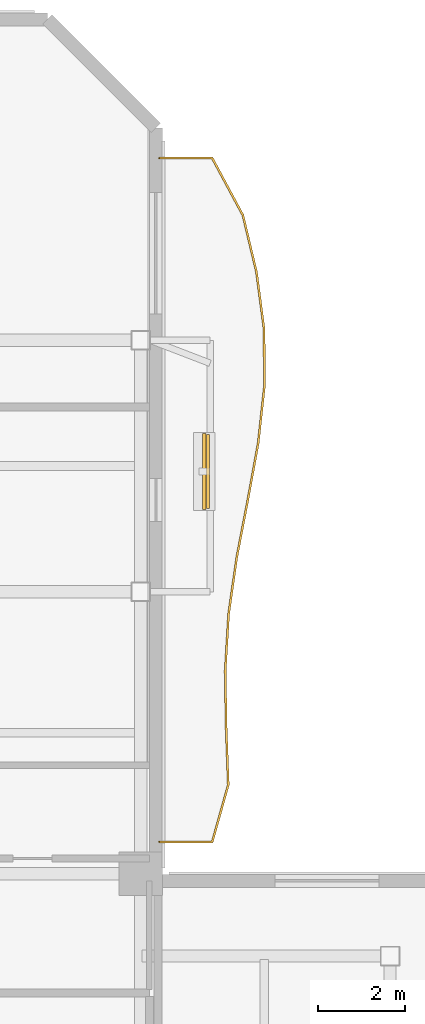
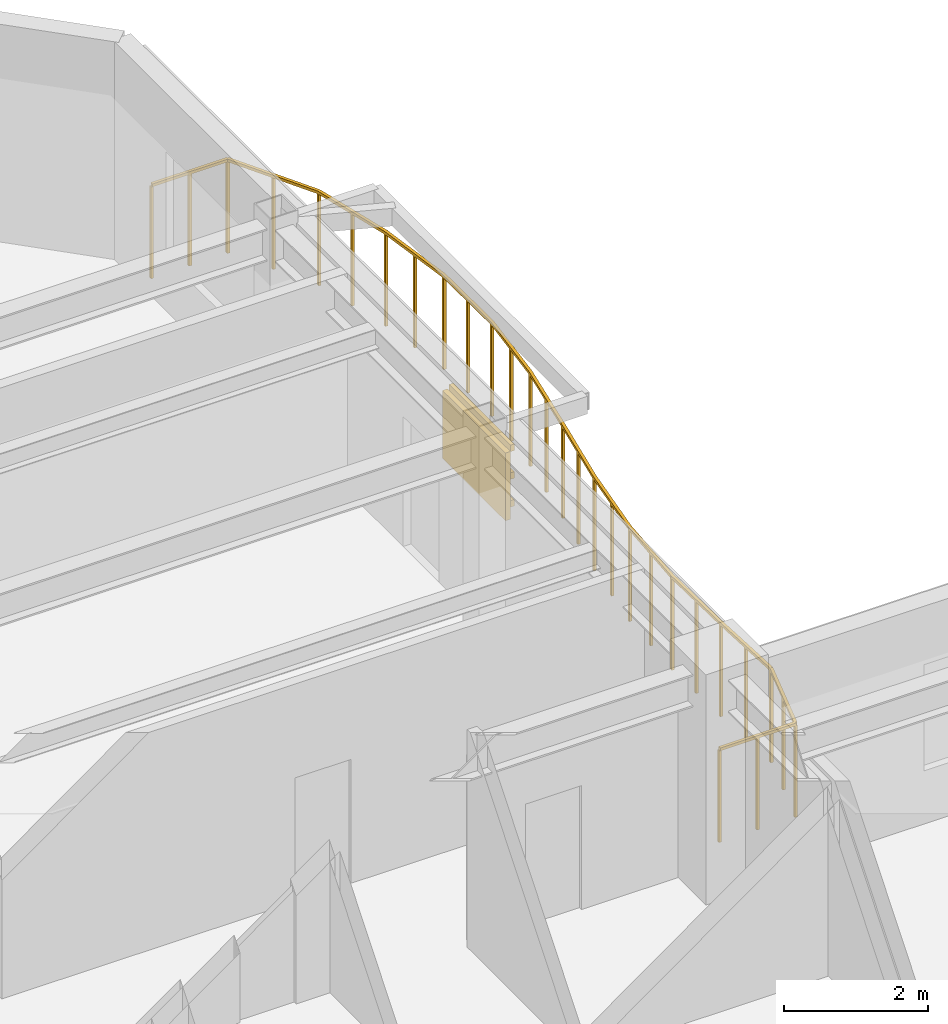
# One storey, part 13 of 13: 4 shading devices, 1 railing.
"""IFC4 building model written with IfcOpenShell, lengths in metres."""

from ifc_helpers import new_model, si_unit, direction, frame, origin, origin_2d, place, context, subcontext, project, spatial, rectangle, extrude, material, layer, layer_set, material_profile, profile_set, type_object, element, save


model = new_model("IFC4")

# Units and contexts
model_context = context("Model", 3, precision=1e-05, world=origin(), true_north=direction((0.0, 1.0)))
body_context = subcontext(model_context, "Body", "Model", "MODEL_VIEW")
ifc_project = project(units=[si_unit("LENGTHUNIT", "METRE"), si_unit("AREAUNIT", "SQUARE_METRE"), si_unit("VOLUMEUNIT", "CUBIC_METRE"), si_unit("PLANEANGLEUNIT", "RADIAN"), si_unit("MASSUNIT", "GRAM", prefix="KILO")], contexts=[model_context])

# Site, building, storey
site_placement = place(None, origin())
site = spatial("IfcSite", under=ifc_project, at=site_placement, CompositionType="ELEMENT")
building_placement = place(site_placement, origin())
building = spatial("IfcBuilding", under=site, at=building_placement, Name="Mawjaban Terraces University", CompositionType="ELEMENT")
storey_placement = place(building_placement, frame((0.0, 0.0, 199.199951171875)))
storey = spatial("IfcBuildingStorey", under=building, at=storey_placement, Name="L48", CompositionType="ELEMENT", Elevation=199.199951171875)

# Railing
ifc_material_1 = material(Name="Galvanised powder-coated steel S355", Category="steel")
railing_type = type_object("IfcRailingType", Name="BalconyBalustrade_1600", PredefinedType="BALUSTRADE", material=ifc_material_1)
railing_placement = place(storey_placement, frame((38.080078125, 24.235107421875, 0.0)))
element("IfcRailing", 1, at=railing_placement, inside=storey, type_object=railing_type, Name="L48 Balcony Guardrail inner_east", PredefinedType="BALUSTRADE", context=body_context, shape_type="SweptSolid", body=[
    extrude(rectangle(XDim=0.048095703125, YDim=0.048095703125, at=origin_2d()), frame((0.0, 0.0, 1.576171875), z_axis=(1.0, 0.0, 0.0), x_axis=(0.0, 1.0, 0.0)), (0.0, 0.0, 1.0), 1.219970703125),
    extrude(rectangle(XDim=0.048095703125, YDim=0.048095703125, at=origin_2d()), frame((1.219970703125, 0.0, 1.576171875), z_axis=(0.2709631077, 0.962589733098, 0.0), x_axis=(-0.962589733098, 0.2709631077, 0.0)), (0.0, 0.0, 1.0), 1.364990234375),
    extrude(rectangle(XDim=0.048095703125, YDim=0.048095703125, at=origin_2d()), frame((1.58984375, 1.31396484375, 1.576171875), z_axis=(-0.037135274909, 0.9993102478, 0.0), x_axis=(-0.9993102478, -0.037135274909, 0.0)), (0.0, 0.0, 1.0), 1.31494140625),
    extrude(rectangle(XDim=0.048095703125, YDim=0.048095703125, at=origin_2d()), frame((1.541015625, 2.6279296875, 1.576171875), z_axis=(-0.016732502821, 0.999860001875, 0.0), x_axis=(-0.999860001875, -0.016732502821, 0.0)), (0.0, 0.0, 1.0), 1.313232421875),
    extrude(rectangle(XDim=0.048095703125, YDim=0.048095703125, at=origin_2d()), frame((1.51904296875, 3.94091796875, 1.576171875), z_axis=(0.059907075163, 0.99820395829, 0.0), x_axis=(-0.99820395829, 0.059907075163, 0.0)), (0.0, 0.0, 1.0), 1.31640625),
    extrude(rectangle(XDim=0.048095703125, YDim=0.048095703125, at=origin_2d()), frame((1.597900390625, 5.2548828125, 1.576171875), z_axis=(0.14234821284, 0.989816642768, 0.0), x_axis=(-0.989816642768, 0.14234821284, 0.0)), (0.0, 0.0, 1.0), 1.327392578125),
    extrude(rectangle(XDim=0.048095703125, YDim=0.048095703125, at=origin_2d()), frame((1.786865234375, 6.56884765625, 1.576171875), z_axis=(0.189334943594, 0.981912561858, 0.0), x_axis=(-0.981912561858, 0.189334943594, 0.0)), (0.0, 0.0, 1.0), 1.337158203125),
    extrude(rectangle(XDim=0.048095703125, YDim=0.048095703125, at=origin_2d()), frame((2.0400390625, 7.8818359375, 1.576171875), z_axis=(0.179673531636, 0.983726294266, 0.0), x_axis=(-0.983726294266, 0.179673531636, 0.0)), (0.0, 0.0, 1.0), 1.335693359375),
    extrude(rectangle(XDim=0.048095703125, YDim=0.048095703125, at=origin_2d()), frame((2.280029296875, 9.19580078125, 1.576171875), z_axis=(0.10876936106, 0.994067012879, 0.0), x_axis=(-0.994067012879, 0.10876936106, 0.0)), (0.0, 0.0, 1.0), 1.322021484375),
    extrude(rectangle(XDim=0.048095703125, YDim=0.048095703125, at=origin_2d()), frame((2.423828125, 10.510009765625, 1.576171875), z_axis=(-0.006688813576, 0.999977629636, 0.0), x_axis=(-0.999977629636, -0.006688813576, 0.0)), (0.0, 0.0, 1.0), 1.31396484375),
    extrude(rectangle(XDim=0.048095703125, YDim=0.048095703125, at=origin_2d()), frame((2.4150390625, 11.823974609375, 1.576171875), z_axis=(-0.132055143145, 0.991242371557, 0.0), x_axis=(-0.991242371557, -0.132055143145, 0.0)), (0.0, 0.0, 1.0), 1.32568359375),
    extrude(rectangle(XDim=0.048095703125, YDim=0.048095703125, at=origin_2d()), frame((2.239990234375, 13.137939453125, 1.576171875), z_axis=(-0.23256577572, 0.972580670157, 0.0), x_axis=(-0.972580670157, -0.23256577572, 0.0)), (0.0, 0.0, 1.0), 1.35009765625),
    extrude(rectangle(XDim=0.048095703125, YDim=0.048095703125, at=origin_2d()), frame((1.926025390625, 14.450927734375, 1.576171875), z_axis=(-0.473338347507, 0.880880700651, 0.0), x_axis=(-0.880880700651, -0.473338347507, 0.0)), (0.0, 0.0, 1.0), 1.49169921875),
    extrude(rectangle(XDim=0.048095703125, YDim=0.048095703125, at=origin_2d()), frame((1.219970703125, 15.764892578125, 1.576171875), z_axis=(-1.0, 0.0, 0.0), x_axis=(0.0, -1.0, 0.0)), (0.0, 0.0, 1.0), 1.219970703125),
    extrude(rectangle(XDim=0.0419921875, YDim=0.0419921875, at=origin_2d()), origin(), (0.0, 0.0, 1.0), 1.552001953125),
    extrude(rectangle(XDim=0.0419921875, YDim=0.0419921875, at=origin_2d()), frame((0.60986328125, 0.0, 0.0)), (0.0, 0.0, 1.0), 1.552001953125),
    extrude(rectangle(XDim=0.0419921875, YDim=0.0419921875, at=origin_2d()), frame((1.219970703125, 0.0, 0.0)), (0.0, 0.0, 1.0), 1.552001953125),
    extrude(rectangle(XDim=0.0419921875, YDim=0.0419921875, at=origin_2d()), frame((1.40478515625, 0.656982421875, 0.0)), (0.0, 0.0, 1.0), 1.552001953125),
    extrude(rectangle(XDim=0.0419921875, YDim=0.0419921875, at=origin_2d()), frame((1.58984375, 1.31396484375, 0.0)), (0.0, 0.0, 1.0), 1.552001953125),
    extrude(rectangle(XDim=0.0419921875, YDim=0.0419921875, at=origin_2d()), frame((1.5654296875, 1.970947265625, 0.0)), (0.0, 0.0, 1.0), 1.552001953125),
    extrude(rectangle(XDim=0.0419921875, YDim=0.0419921875, at=origin_2d()), frame((1.541015625, 2.6279296875, 0.0)), (0.0, 0.0, 1.0), 1.552001953125),
    extrude(rectangle(XDim=0.0419921875, YDim=0.0419921875, at=origin_2d()), frame((1.530029296875, 3.284423828125, 0.0)), (0.0, 0.0, 1.0), 1.552001953125),
    extrude(rectangle(XDim=0.0419921875, YDim=0.0419921875, at=origin_2d()), frame((1.51904296875, 3.94091796875, 0.0)), (0.0, 0.0, 1.0), 1.552001953125),
    extrude(rectangle(XDim=0.0419921875, YDim=0.0419921875, at=origin_2d()), frame((1.55859375, 4.597900390625, 0.0)), (0.0, 0.0, 1.0), 1.552001953125),
    extrude(rectangle(XDim=0.0419921875, YDim=0.0419921875, at=origin_2d()), frame((1.597900390625, 5.2548828125, 0.0)), (0.0, 0.0, 1.0), 1.552001953125),
    extrude(rectangle(XDim=0.0419921875, YDim=0.0419921875, at=origin_2d()), frame((1.6923828125, 5.911865234375, 0.0)), (0.0, 0.0, 1.0), 1.552001953125),
    extrude(rectangle(XDim=0.0419921875, YDim=0.0419921875, at=origin_2d()), frame((1.786865234375, 6.56884765625, 0.0)), (0.0, 0.0, 1.0), 1.552001953125),
    extrude(rectangle(XDim=0.0419921875, YDim=0.0419921875, at=origin_2d()), frame((1.91357421875, 7.225341796875, 0.0)), (0.0, 0.0, 1.0), 1.552001953125),
    extrude(rectangle(XDim=0.0419921875, YDim=0.0419921875, at=origin_2d()), frame((2.0400390625, 7.8818359375, 0.0)), (0.0, 0.0, 1.0), 1.552001953125),
    extrude(rectangle(XDim=0.0419921875, YDim=0.0419921875, at=origin_2d()), frame((2.16015625, 8.538818359375, 0.0)), (0.0, 0.0, 1.0), 1.552001953125),
    extrude(rectangle(XDim=0.0419921875, YDim=0.0419921875, at=origin_2d()), frame((2.280029296875, 9.19580078125, 0.0)), (0.0, 0.0, 1.0), 1.552001953125),
    extrude(rectangle(XDim=0.0419921875, YDim=0.0419921875, at=origin_2d()), frame((2.35205078125, 9.85302734375, 0.0)), (0.0, 0.0, 1.0), 1.552001953125),
    extrude(rectangle(XDim=0.0419921875, YDim=0.0419921875, at=origin_2d()), frame((2.423828125, 10.510009765625, 0.0)), (0.0, 0.0, 1.0), 1.552001953125),
    extrude(rectangle(XDim=0.0419921875, YDim=0.0419921875, at=origin_2d()), frame((2.41943359375, 11.1669921875, 0.0)), (0.0, 0.0, 1.0), 1.552001953125),
    extrude(rectangle(XDim=0.0419921875, YDim=0.0419921875, at=origin_2d()), frame((2.4150390625, 11.823974609375, 0.0)), (0.0, 0.0, 1.0), 1.552001953125),
    extrude(rectangle(XDim=0.0419921875, YDim=0.0419921875, at=origin_2d()), frame((2.32763671875, 12.48095703125, 0.0)), (0.0, 0.0, 1.0), 1.552001953125),
    extrude(rectangle(XDim=0.0419921875, YDim=0.0419921875, at=origin_2d()), frame((2.239990234375, 13.137939453125, 0.0)), (0.0, 0.0, 1.0), 1.552001953125),
    extrude(rectangle(XDim=0.0419921875, YDim=0.0419921875, at=origin_2d()), frame((2.0830078125, 13.79443359375, 0.0)), (0.0, 0.0, 1.0), 1.552001953125),
    extrude(rectangle(XDim=0.0419921875, YDim=0.0419921875, at=origin_2d()), frame((1.926025390625, 14.450927734375, 0.0)), (0.0, 0.0, 1.0), 1.552001953125),
    extrude(rectangle(XDim=0.0419921875, YDim=0.0419921875, at=origin_2d()), frame((1.572998046875, 15.10791015625, 0.0)), (0.0, 0.0, 1.0), 1.552001953125),
    extrude(rectangle(XDim=0.0419921875, YDim=0.0419921875, at=origin_2d()), frame((1.219970703125, 15.764892578125, 0.0)), (0.0, 0.0, 1.0), 1.552001953125),
    extrude(rectangle(XDim=0.0419921875, YDim=0.0419921875, at=origin_2d()), frame((0.60986328125, 15.764892578125, 0.0)), (0.0, 0.0, 1.0), 1.552001953125),
    extrude(rectangle(XDim=0.0419921875, YDim=0.0419921875, at=origin_2d()), frame((0.0, 15.764892578125, 0.0)), (0.0, 0.0, 1.0), 1.552001953125),
])

# Shading devices
ifc_material_2 = material(Name="Glazed architectural terracotta ceramic", Category="masonry")
ifc_material_profile = material_profile(ifc_material_2, rectangle(XDim=0.06494140625, YDim=0.110107421875, at=origin_2d()), Name="TBAG110X65")
ifc_profile_set = profile_set([ifc_material_profile], Name="Glazed architectural terracotta ceramic")
shading_device_type_1 = type_object("IfcShadingDeviceType", Name="TerracottaBaguette_110x65", PredefinedType="USERDEFINED", material=ifc_profile_set)
for number, where, z_axis, x_axis, name in (
    (2, (39.199951171875, 31.924072265625, 0.679931640625), (0.0, 1.0, 0.0), (-1.0, 0.0, 0.0), "L48 Horizontal Terracotta Baguette inner_east.1"),
    (3, (39.199951171875, 31.924072265625, 1.150146484375), (0.0, 1.0, 0.0), (-1.0, 0.0, 0.0), "L48 Horizontal Terracotta Baguette inner_east.2"),
    (4, (39.199951171875, 31.924072265625, 1.6201171875), (0.0, 1.0, 0.0), (-1.0, 0.0, 0.0), "L48 Horizontal Terracotta Baguette inner_east.3"),
):
    element("IfcShadingDevice", number, at=place(storey_placement, frame(where, z_axis=z_axis, x_axis=x_axis)), inside=storey, type_object=shading_device_type_1, Name=name, ObjectType="BAGUETTE", PredefinedType="USERDEFINED", context=body_context, shape_type="SweptSolid", body=[
        extrude(rectangle(XDim=0.06494140625, YDim=0.110107421875, at=origin_2d()), origin(), (0.0, 0.0, 1.0), 1.699951171875),
    ])
ifc_layer = layer(ifc_material_2, 0.080078125)
ifc_layer_set = layer_set([ifc_layer], Name="Glazed architectural terracotta ceramic")
shading_device_type_2 = type_object("IfcShadingDeviceType", Name="TerracottaScreen_Perforated", PredefinedType="USERDEFINED", material=ifc_layer_set)
shading_device_placement = place(storey_placement, frame((39.114990234375, 32.77392578125, 0.440185546875), z_axis=(0.0, 0.0, 1.0), x_axis=(0.0, 1.0, 0.0)))
element("IfcShadingDevice", 5, at=shading_device_placement, inside=storey, type_object=shading_device_type_2, Name="L48 Balcony Perforated Terracotta Screen inner_east", ObjectType="SCREEN", PredefinedType="USERDEFINED", context=body_context, shape_type="SweptSolid", body=[
    extrude(rectangle(XDim=1.75, YDim=0.080078125, at=origin_2d()), origin(), (0.0, 0.0, 1.0), 1.14990234375),
])

save(model, "model.ifc")
